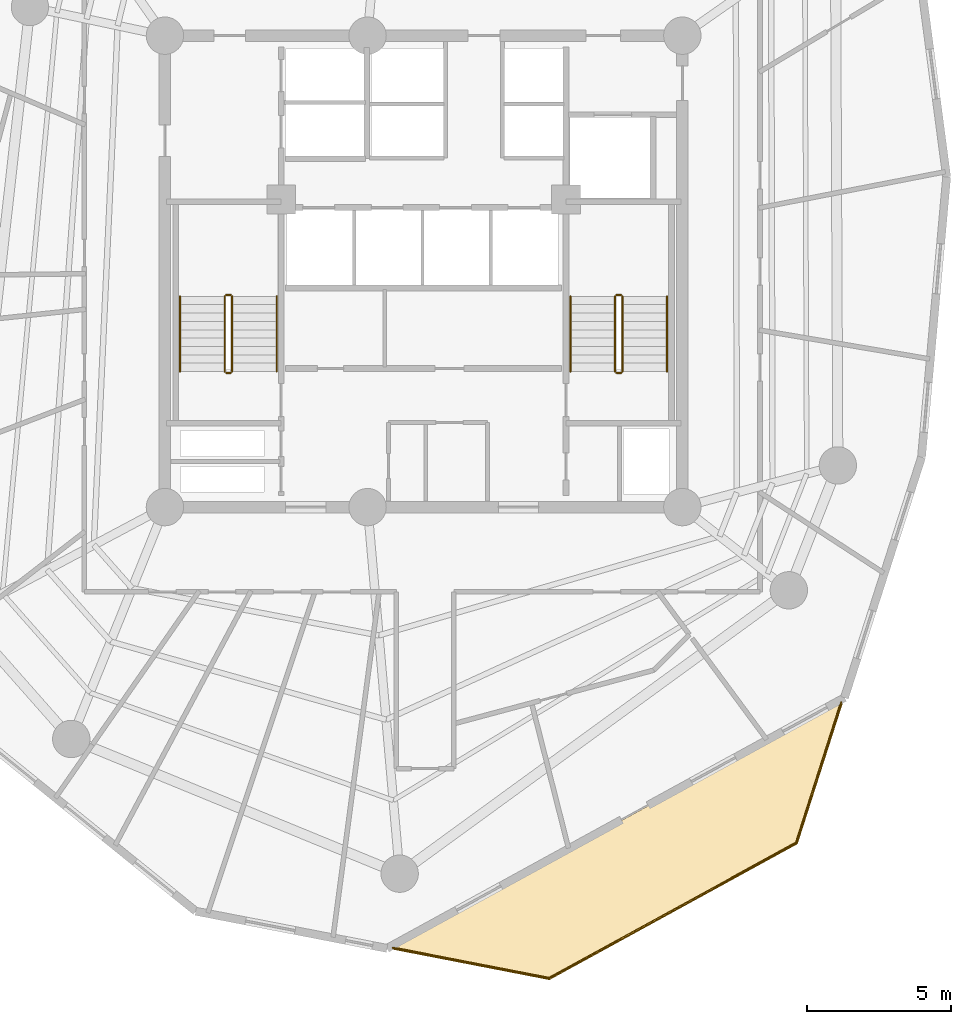
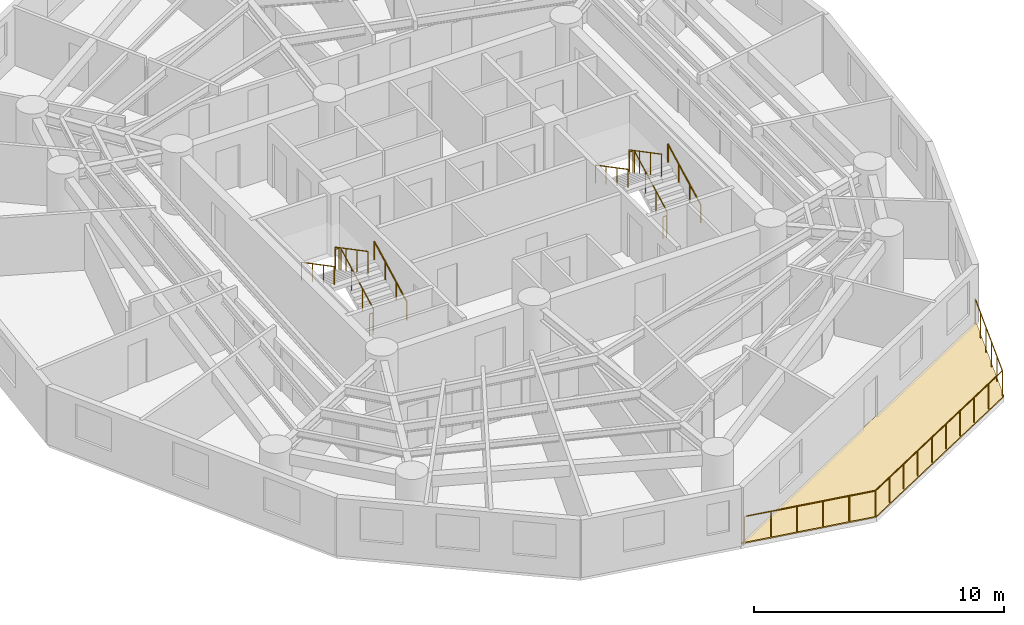
# One storey, part 8 of 8: 15 railings, 1 covering.
"""IFC4 building model written with IfcOpenShell, lengths in metres."""

from ifc_helpers import new_model, si_unit, direction, frame, origin, origin_2d, place, context, subcontext, project, spatial, polyline, circle, outline, extrude, material, layer, layer_set, type_object, element, save


model = new_model("IFC4")

# Units and contexts
model_context = context("Model", 3, precision=1e-05, world=origin(), true_north=direction((0.0, 1.0)))
body_context = subcontext(model_context, "Body", "Model", "MODEL_VIEW")
ifc_project = project(units=[si_unit("LENGTHUNIT", "METRE"), si_unit("AREAUNIT", "SQUARE_METRE"), si_unit("VOLUMEUNIT", "CUBIC_METRE"), si_unit("PLANEANGLEUNIT", "RADIAN"), si_unit("MASSUNIT", "GRAM", prefix="KILO")], contexts=[model_context])

# Site, building, storey
site_placement = place(None, origin())
site = spatial("IfcSite", under=ifc_project, at=site_placement, CompositionType="ELEMENT")
building_placement = place(site_placement, origin())
building = spatial("IfcBuilding", under=site, at=building_placement, Name="Karkom Vertical University and Central Library", CompositionType="ELEMENT")
storey_placement = place(building_placement, frame((0.0, 0.0, 174.85009765625)))
storey = spatial("IfcBuildingStorey", under=building, at=storey_placement, Name="L50", CompositionType="ELEMENT", Elevation=174.85009765625)

# Covering
ifc_material_1 = material(Name="EPDM membrane with Kota stone ballast roofing", Category="masonry")
ifc_layer_1 = layer(ifc_material_1, 0.080078125)
ifc_layer_set_1 = layer_set([ifc_layer_1], Name="EPDM membrane with Kota stone ballast roofing")
covering_type = type_object("IfcCoveringType", Name="ENV-COV-ROOF", PredefinedType="ROOFING", material=ifc_layer_set_1)
covering_placement = place(storey_placement, origin())
element("IfcCovering", 1, at=covering_placement, inside=storey, type_object=covering_type, Name="Level 50 Spiral Sky Garden Waterproofing Covering", PredefinedType="ROOFING", context=body_context, shape_type="SweptSolid", body=[
    extrude(outline(polyline([(41.510498046875, 6.58154296875), (32.876708984375, 1.85009765625), (27.25732421875, 2.941650390625), (43.1328125, 11.641845703125), (41.510498046875, 6.58154296875)])), origin(), (0.0, 0.0, 1.0), 0.059814453125),
])

# Railings
ifc_material_2 = material(Name="Architectural painted steel & laminated glass balustrade", Category="steel")
ifc_layer_2 = layer(ifc_material_2, 0.090087890625)
ifc_layer_set_2 = layer_set([ifc_layer_2], Name="Architectural painted steel & laminated glass balustrade")
railing_type_1 = type_object("IfcRailingType", Name="ENV-RL-BAL1300", PredefinedType="BALUSTRADE", material=ifc_layer_set_2)
railing_1_placement = place(storey_placement, frame((41.460693359375, 6.622802734375, 0.0)))
element("IfcRailing", 2, at=railing_1_placement, inside=storey, type_object=railing_type_1, Name="Level 50 Planted Terrace Safety Balustrade 01", PredefinedType="BALUSTRADE", context=body_context, shape_type="SweptSolid", body=[
    extrude(circle(Radius=0.02392578125, at=origin_2d()), frame((0.0, 0.0, 1.27587890625), z_axis=(-0.876940789438, -0.480598430939, 0.0), x_axis=(0.480598430939, -0.876940789438, 0.0)), (0.0, 0.0, 1.0), 9.7998046875),
    extrude(circle(Radius=0.02099609375, at=origin_2d()), origin(), (0.0, 0.0, 1.0), 1.251953125),
    extrude(circle(Radius=0.02099609375, at=origin_2d()), frame((-0.954833984375, -0.523193359375, 0.0)), (0.0, 0.0, 1.0), 1.251953125),
    extrude(circle(Radius=0.02099609375, at=origin_2d()), frame((-1.90966796875, -1.046630859375, 0.0)), (0.0, 0.0, 1.0), 1.251953125),
    extrude(circle(Radius=0.02099609375, at=origin_2d()), frame((-2.864501953125, -1.56982421875, 0.0)), (0.0, 0.0, 1.0), 1.251953125),
    extrude(circle(Radius=0.02099609375, at=origin_2d()), frame((-3.8193359375, -2.09326171875, 0.0)), (0.0, 0.0, 1.0), 1.251953125),
    extrude(circle(Radius=0.02099609375, at=origin_2d()), frame((-4.7744140625, -2.616455078125, 0.0)), (0.0, 0.0, 1.0), 1.251953125),
    extrude(circle(Radius=0.02099609375, at=origin_2d()), frame((-5.729248046875, -3.139892578125, 0.0)), (0.0, 0.0, 1.0), 1.251953125),
    extrude(circle(Radius=0.02099609375, at=origin_2d()), frame((-6.68408203125, -3.6630859375, 0.0)), (0.0, 0.0, 1.0), 1.251953125),
    extrude(circle(Radius=0.02099609375, at=origin_2d()), frame((-7.638916015625, -4.1865234375, 0.0)), (0.0, 0.0, 1.0), 1.251953125),
    extrude(circle(Radius=0.02099609375, at=origin_2d()), frame((-8.59375, -4.709716796875, 0.0)), (0.0, 0.0, 1.0), 1.251953125),
])
railing_2_placement = place(storey_placement, frame((32.866943359375, 1.9130859375, 0.0)))
element("IfcRailing", 3, at=railing_2_placement, inside=storey, type_object=railing_type_1, Name="Level 50 Planted Terrace Safety Balustrade 02", PredefinedType="BALUSTRADE", context=body_context, shape_type="SweptSolid", body=[
    extrude(circle(Radius=0.02392578125, at=origin_2d()), frame((0.0, 0.0, 1.27587890625), z_axis=(-0.98165438304, 0.19066901232, 0.0), x_axis=(-0.19066901232, -0.98165438304, 0.0)), (0.0, 0.0, 1.0), 5.53662109375),
    extrude(circle(Radius=0.02099609375, at=origin_2d()), origin(), (0.0, 0.0, 1.0), 1.251953125),
    extrude(circle(Radius=0.02099609375, at=origin_2d()), frame((-1.0869140625, 0.211181640625, 0.0)), (0.0, 0.0, 1.0), 1.251953125),
    extrude(circle(Radius=0.02099609375, at=origin_2d()), frame((-2.174072265625, 0.42236328125, 0.0)), (0.0, 0.0, 1.0), 1.251953125),
    extrude(circle(Radius=0.02099609375, at=origin_2d()), frame((-3.260986328125, 0.63330078125, 0.0)), (0.0, 0.0, 1.0), 1.251953125),
    extrude(circle(Radius=0.02099609375, at=origin_2d()), frame((-4.34814453125, 0.844482421875, 0.0)), (0.0, 0.0, 1.0), 1.251953125),
    extrude(circle(Radius=0.02099609375, at=origin_2d()), frame((-5.43505859375, 1.0556640625, 0.0)), (0.0, 0.0, 1.0), 1.251953125),
])
railing_3_placement = place(storey_placement, frame((43.02978515625, 11.516845703125, 0.0)))
element("IfcRailing", 4, at=railing_3_placement, inside=storey, type_object=railing_type_1, Name="Level 50 Planted Terrace Safety Balustrade 03", PredefinedType="BALUSTRADE", context=body_context, shape_type="SweptSolid", body=[
    extrude(circle(Radius=0.02392578125, at=origin_2d()), frame((0.0, 0.0, 1.27587890625), z_axis=(-0.305304837067, -0.952254669962, 0.0), x_axis=(0.952254669962, -0.305304837067, 0.0)), (0.0, 0.0, 1.0), 5.139404296875),
    extrude(circle(Radius=0.02099609375, at=origin_2d()), origin(), (0.0, 0.0, 1.0), 1.251953125),
    extrude(circle(Radius=0.02099609375, at=origin_2d()), frame((-0.313720703125, -0.978759765625, 0.0)), (0.0, 0.0, 1.0), 1.251953125),
    extrude(circle(Radius=0.02099609375, at=origin_2d()), frame((-0.627685546875, -1.95751953125, 0.0)), (0.0, 0.0, 1.0), 1.251953125),
    extrude(circle(Radius=0.02099609375, at=origin_2d()), frame((-0.94140625, -2.9365234375, 0.0)), (0.0, 0.0, 1.0), 1.251953125),
    extrude(circle(Radius=0.02099609375, at=origin_2d()), frame((-1.25537109375, -3.915283203125, 0.0)), (0.0, 0.0, 1.0), 1.251953125),
    extrude(circle(Radius=0.02099609375, at=origin_2d()), frame((-1.569091796875, -4.89404296875, 0.0)), (0.0, 0.0, 1.0), 1.251953125),
])
ifc_material_3 = material(Name="Painted galvanised steel balustrade", Category="steel")
ifc_layer_3 = layer(ifc_material_3, 0.06005859375)
ifc_layer_set_3 = layer_set([ifc_layer_3], Name="Painted galvanised steel balustrade")
railing_type_2 = type_object("IfcRailingType", Name="INT-RL-GUARD1100", PredefinedType="GUARDRAIL", material=ifc_layer_set_3)
railing_4_placement = place(storey_placement, frame((21.840087890625, 23.02001953125, 0.15234375)))
element("IfcRailing", 5, at=railing_4_placement, inside=storey, type_object=railing_type_2, Name="Level 50 ST-1 stair guard 1", PredefinedType="GUARDRAIL", context=body_context, shape_type="SweptSolid", body=[
    extrude(circle(Radius=0.02392578125, at=origin_2d()), frame((0.0, 0.0, 1.076171875), z_axis=(0.0, 0.885065446896, 0.46546659892), x_axis=(-1.0, 0.0, 0.0)), (0.0, 0.0, 1.0), 2.94873046875),
    extrude(circle(Radius=0.02099609375, at=origin_2d()), origin(), (0.0, 0.0, 1.0), 1.052001953125),
    extrude(circle(Radius=0.02099609375, at=origin_2d()), frame((0.0, 0.869873046875, 0.45751953125)), (0.0, 0.0, 1.0), 1.052001953125),
    extrude(circle(Radius=0.02099609375, at=origin_2d()), frame((0.0, 1.739990234375, 0.9150390625)), (0.0, 0.0, 1.0), 1.052001953125),
    extrude(circle(Radius=0.02099609375, at=origin_2d()), frame((0.0, 2.60986328125, 1.37255859375)), (0.0, 0.0, 1.0), 1.052001953125),
])
railing_5_placement = place(storey_placement, frame((21.7900390625, 25.679931640625, 1.52490234375)))
element("IfcRailing", 6, at=railing_5_placement, inside=storey, type_object=railing_type_2, Name="Level 50 ST-1 stair guard 2", PredefinedType="GUARDRAIL", context=body_context, shape_type="SweptSolid", body=[
    extrude(circle(Radius=0.02392578125, at=origin_2d()), frame((0.0, 0.0, 1.076171875), z_axis=(-1.0, 0.0, 0.0), x_axis=(0.0, -1.0, 0.0)), (0.0, 0.0, 1.0), 0.16015625),
    extrude(circle(Radius=0.02099609375, at=origin_2d()), origin(), (0.0, 0.0, 1.0), 1.052001953125),
    extrude(circle(Radius=0.02099609375, at=origin_2d()), frame((-0.16015625, 0.0, 0.0)), (0.0, 0.0, 1.0), 1.052001953125),
])
railing_6_placement = place(storey_placement, frame((21.580078125, 25.6298828125, 1.677490234375)))
element("IfcRailing", 7, at=railing_6_placement, inside=storey, type_object=railing_type_2, Name="Level 50 ST-1 stair guard 3", PredefinedType="GUARDRAIL", context=body_context, shape_type="SweptSolid", body=[
    extrude(circle(Radius=0.02392578125, at=origin_2d()), frame((0.0, 0.0, 1.076171875), z_axis=(0.0, -0.885099554253, 0.465401739426), x_axis=(1.0, 0.0, 0.0)), (0.0, 0.0, 1.0), 2.94873046875),
    extrude(circle(Radius=0.02099609375, at=origin_2d()), origin(), (0.0, 0.0, 1.0), 1.052001953125),
    extrude(circle(Radius=0.02099609375, at=origin_2d()), frame((0.0, -0.869873046875, 0.45751953125)), (0.0, 0.0, 1.0), 1.052001953125),
    extrude(circle(Radius=0.02099609375, at=origin_2d()), frame((0.0, -1.739990234375, 0.914794921875)), (0.0, 0.0, 1.0), 1.052001953125),
    extrude(circle(Radius=0.02099609375, at=origin_2d()), frame((0.0, -2.60986328125, 1.372314453125)), (0.0, 0.0, 1.0), 1.052001953125),
])
railing_7_placement = place(storey_placement, frame((21.7900390625, 22.969970703125, 0.0)))
element("IfcRailing", 8, at=railing_7_placement, inside=storey, type_object=railing_type_2, Name="Level 50 ST-1 stair guard 4", PredefinedType="GUARDRAIL", context=body_context, shape_type="SweptSolid", body=[
    extrude(circle(Radius=0.02392578125, at=origin_2d()), frame((0.0, 0.0, 1.076171875), z_axis=(-1.0, 0.0, 0.0), x_axis=(0.0, -1.0, 0.0)), (0.0, 0.0, 1.0), 0.16015625),
    extrude(circle(Radius=0.02099609375, at=origin_2d()), origin(), (0.0, 0.0, 1.0), 1.052001953125),
    extrude(circle(Radius=0.02099609375, at=origin_2d()), frame((-0.16015625, 0.0, 0.0)), (0.0, 0.0, 1.0), 1.052001953125),
])
railing_8_placement = place(storey_placement, frame((35.419921875, 23.02001953125, 0.15234375)))
element("IfcRailing", 9, at=railing_8_placement, inside=storey, type_object=railing_type_2, Name="Level 50 ST-2 stair guard 1", PredefinedType="GUARDRAIL", context=body_context, shape_type="SweptSolid", body=[
    extrude(circle(Radius=0.02392578125, at=origin_2d()), frame((0.0, 0.0, 1.076171875), z_axis=(0.0, 0.885065446896, 0.46546659892), x_axis=(-1.0, 0.0, 0.0)), (0.0, 0.0, 1.0), 2.94873046875),
    extrude(circle(Radius=0.02099609375, at=origin_2d()), origin(), (0.0, 0.0, 1.0), 1.052001953125),
    extrude(circle(Radius=0.02099609375, at=origin_2d()), frame((0.0, 0.869873046875, 0.45751953125)), (0.0, 0.0, 1.0), 1.052001953125),
    extrude(circle(Radius=0.02099609375, at=origin_2d()), frame((0.0, 1.739990234375, 0.9150390625)), (0.0, 0.0, 1.0), 1.052001953125),
    extrude(circle(Radius=0.02099609375, at=origin_2d()), frame((0.0, 2.60986328125, 1.37255859375)), (0.0, 0.0, 1.0), 1.052001953125),
])
railing_9_placement = place(storey_placement, frame((35.3701171875, 25.679931640625, 1.52490234375)))
element("IfcRailing", 10, at=railing_9_placement, inside=storey, type_object=railing_type_2, Name="Level 50 ST-2 stair guard 2", PredefinedType="GUARDRAIL", context=body_context, shape_type="SweptSolid", body=[
    extrude(circle(Radius=0.02392578125, at=origin_2d()), frame((0.0, 0.0, 1.076171875), z_axis=(-1.0, 0.0, 0.0), x_axis=(0.0, -1.0, 0.0)), (0.0, 0.0, 1.0), 0.16015625),
    extrude(circle(Radius=0.02099609375, at=origin_2d()), origin(), (0.0, 0.0, 1.0), 1.052001953125),
    extrude(circle(Radius=0.02099609375, at=origin_2d()), frame((-0.16015625, 0.0, 0.0)), (0.0, 0.0, 1.0), 1.052001953125),
])
railing_10_placement = place(storey_placement, frame((35.159912109375, 25.6298828125, 1.677490234375)))
element("IfcRailing", 11, at=railing_10_placement, inside=storey, type_object=railing_type_2, Name="Level 50 ST-2 stair guard 3", PredefinedType="GUARDRAIL", context=body_context, shape_type="SweptSolid", body=[
    extrude(circle(Radius=0.02392578125, at=origin_2d()), frame((0.0, 0.0, 1.076171875), z_axis=(0.0, -0.885099554253, 0.465401739426), x_axis=(1.0, 0.0, 0.0)), (0.0, 0.0, 1.0), 2.94873046875),
    extrude(circle(Radius=0.02099609375, at=origin_2d()), origin(), (0.0, 0.0, 1.0), 1.052001953125),
    extrude(circle(Radius=0.02099609375, at=origin_2d()), frame((0.0, -0.869873046875, 0.45751953125)), (0.0, 0.0, 1.0), 1.052001953125),
    extrude(circle(Radius=0.02099609375, at=origin_2d()), frame((0.0, -1.739990234375, 0.914794921875)), (0.0, 0.0, 1.0), 1.052001953125),
    extrude(circle(Radius=0.02099609375, at=origin_2d()), frame((0.0, -2.60986328125, 1.372314453125)), (0.0, 0.0, 1.0), 1.052001953125),
])
railing_11_placement = place(storey_placement, frame((35.3701171875, 22.969970703125, 0.0)))
element("IfcRailing", 12, at=railing_11_placement, inside=storey, type_object=railing_type_2, Name="Level 50 ST-2 stair guard 4", PredefinedType="GUARDRAIL", context=body_context, shape_type="SweptSolid", body=[
    extrude(circle(Radius=0.02392578125, at=origin_2d()), frame((0.0, 0.0, 1.076171875), z_axis=(-1.0, 0.0, 0.0), x_axis=(0.0, -1.0, 0.0)), (0.0, 0.0, 1.0), 0.16015625),
    extrude(circle(Radius=0.02099609375, at=origin_2d()), origin(), (0.0, 0.0, 1.0), 1.052001953125),
    extrude(circle(Radius=0.02099609375, at=origin_2d()), frame((-0.16015625, 0.0, 0.0)), (0.0, 0.0, 1.0), 1.052001953125),
])
ifc_material_4 = material(Name="Brushed stainless-steel tubular handrail", Category="steel")
ifc_layer_4 = layer(ifc_material_4, 0.048095703125)
ifc_layer_set_4 = layer_set([ifc_layer_4], Name="Brushed stainless-steel tubular handrail")
railing_type_3 = type_object("IfcRailingType", Name="INT-RL-HAND920", PredefinedType="HANDRAIL", material=ifc_layer_set_4)
railing_12_placement = place(storey_placement, frame((23.389892578125, 23.02001953125, 0.15234375)))
element("IfcRailing", 13, at=railing_12_placement, inside=storey, type_object=railing_type_3, Name="Level 50 ST-1 stair handrail 1", PredefinedType="HANDRAIL", context=body_context, shape_type="SweptSolid", body=[
    extrude(circle(Radius=0.02392578125, at=origin_2d()), frame((0.0, 0.0, 0.8759765625), z_axis=(0.0, 0.885065446896, 0.46546659892), x_axis=(-1.0, 0.0, 0.0)), (0.0, 0.0, 1.0), 2.94873046875),
    extrude(circle(Radius=0.02099609375, at=origin_2d()), origin(), (0.0, 0.0, 1.0), 0.851806640625),
    extrude(circle(Radius=0.02099609375, at=origin_2d()), frame((0.0, 0.869873046875, 0.45751953125)), (0.0, 0.0, 1.0), 0.851806640625),
    extrude(circle(Radius=0.02099609375, at=origin_2d()), frame((0.0, 1.739990234375, 0.9150390625)), (0.0, 0.0, 1.0), 0.851806640625),
    extrude(circle(Radius=0.02099609375, at=origin_2d()), frame((0.0, 2.60986328125, 1.37255859375)), (0.0, 0.0, 1.0), 0.851806640625),
])
railing_13_placement = place(storey_placement, frame((20.030029296875, 25.6298828125, 1.677490234375)))
element("IfcRailing", 14, at=railing_13_placement, inside=storey, type_object=railing_type_3, Name="Level 50 ST-1 stair handrail 2", PredefinedType="HANDRAIL", context=body_context, shape_type="SweptSolid", body=[
    extrude(circle(Radius=0.02392578125, at=origin_2d()), frame((0.0, 0.0, 0.8759765625), z_axis=(0.0, -0.885099554253, 0.465401739426), x_axis=(1.0, 0.0, 0.0)), (0.0, 0.0, 1.0), 2.94873046875),
    extrude(circle(Radius=0.02099609375, at=origin_2d()), origin(), (0.0, 0.0, 1.0), 0.851806640625),
    extrude(circle(Radius=0.02099609375, at=origin_2d()), frame((0.0, -0.869873046875, 0.45751953125)), (0.0, 0.0, 1.0), 0.851806640625),
    extrude(circle(Radius=0.02099609375, at=origin_2d()), frame((0.0, -1.739990234375, 0.914794921875)), (0.0, 0.0, 1.0), 0.851806640625),
    extrude(circle(Radius=0.02099609375, at=origin_2d()), frame((0.0, -2.60986328125, 1.372314453125)), (0.0, 0.0, 1.0), 0.851806640625),
])
railing_14_placement = place(storey_placement, frame((36.969970703125, 23.02001953125, 0.15234375)))
element("IfcRailing", 15, at=railing_14_placement, inside=storey, type_object=railing_type_3, Name="Level 50 ST-2 stair handrail 1", PredefinedType="HANDRAIL", context=body_context, shape_type="SweptSolid", body=[
    extrude(circle(Radius=0.02392578125, at=origin_2d()), frame((0.0, 0.0, 0.8759765625), z_axis=(0.0, 0.885065446896, 0.46546659892), x_axis=(-1.0, 0.0, 0.0)), (0.0, 0.0, 1.0), 2.94873046875),
    extrude(circle(Radius=0.02099609375, at=origin_2d()), origin(), (0.0, 0.0, 1.0), 0.851806640625),
    extrude(circle(Radius=0.02099609375, at=origin_2d()), frame((0.0, 0.869873046875, 0.45751953125)), (0.0, 0.0, 1.0), 0.851806640625),
    extrude(circle(Radius=0.02099609375, at=origin_2d()), frame((0.0, 1.739990234375, 0.9150390625)), (0.0, 0.0, 1.0), 0.851806640625),
    extrude(circle(Radius=0.02099609375, at=origin_2d()), frame((0.0, 2.60986328125, 1.37255859375)), (0.0, 0.0, 1.0), 0.851806640625),
])
railing_15_placement = place(storey_placement, frame((33.610107421875, 25.6298828125, 1.677490234375)))
element("IfcRailing", 16, at=railing_15_placement, inside=storey, type_object=railing_type_3, Name="Level 50 ST-2 stair handrail 2", PredefinedType="HANDRAIL", context=body_context, shape_type="SweptSolid", body=[
    extrude(circle(Radius=0.02392578125, at=origin_2d()), frame((0.0, 0.0, 0.8759765625), z_axis=(0.0, -0.885099554253, 0.465401739426), x_axis=(1.0, 0.0, 0.0)), (0.0, 0.0, 1.0), 2.94873046875),
    extrude(circle(Radius=0.02099609375, at=origin_2d()), origin(), (0.0, 0.0, 1.0), 0.851806640625),
    extrude(circle(Radius=0.02099609375, at=origin_2d()), frame((0.0, -0.869873046875, 0.45751953125)), (0.0, 0.0, 1.0), 0.851806640625),
    extrude(circle(Radius=0.02099609375, at=origin_2d()), frame((0.0, -1.739990234375, 0.914794921875)), (0.0, 0.0, 1.0), 0.851806640625),
    extrude(circle(Radius=0.02099609375, at=origin_2d()), frame((0.0, -2.60986328125, 1.372314453125)), (0.0, 0.0, 1.0), 0.851806640625),
])

save(model, "model.ifc")
